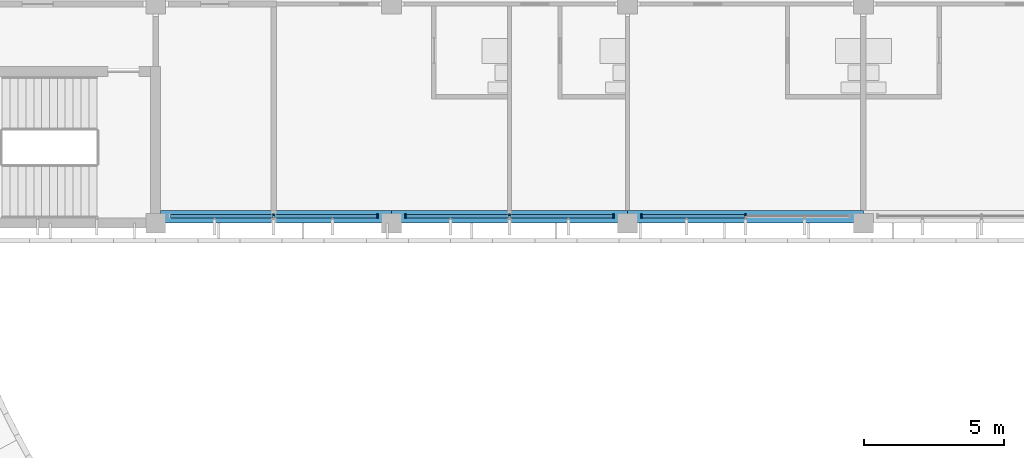
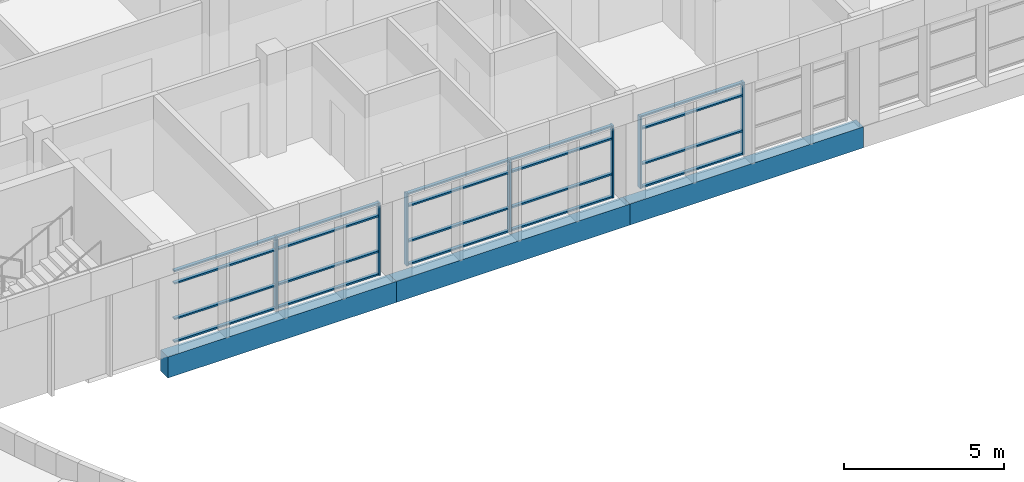
# One storey, part 3 of 74: 27 members, 3 beams, 3 elements without a shape of their own.
"""IFC4 building model written with IfcOpenShell, lengths in metres."""

from ifc_helpers import new_model, si_unit, direction, frame, origin, origin_2d, place, context, subcontext, project, spatial, rectangle, extrude, material, material_profile, profile_set, type_object, element, aggregate, save


model = new_model("IFC4")

# Units and contexts
model_context = context("Model", 3, precision=1e-05, world=origin(), true_north=direction((0.0, 1.0)))
body_context = subcontext(model_context, "Body", "Model", "MODEL_VIEW")
ifc_project = project(units=[si_unit("LENGTHUNIT", "METRE"), si_unit("AREAUNIT", "SQUARE_METRE"), si_unit("VOLUMEUNIT", "CUBIC_METRE"), si_unit("PLANEANGLEUNIT", "RADIAN"), si_unit("MASSUNIT", "GRAM", prefix="KILO")], contexts=[model_context])

# Site, building, storey
site_placement = place(None, origin())
site = spatial("IfcSite", under=ifc_project, at=site_placement, CompositionType="ELEMENT")
building_placement = place(site_placement, origin())
building = spatial("IfcBuilding", under=site, at=building_placement, Name="Bougainvillea Quay General Hospital", CompositionType="ELEMENT")
storey_placement = place(building_placement, frame((0.0, 0.0, 21.0)))
storey = spatial("IfcBuildingStorey", under=building, at=storey_placement, Name="L04", CompositionType="ELEMENT", Elevation=21.0)

# Curtain wall, members
ifc_material_1 = material(Name="Aluminium curtain wall system, powder-coated glazed", Category="aluminium")
curtain_wall_type = type_object("IfcCurtainWallType", Name="Unitised curtain wall CW-3730", PredefinedType="NOTDEFINED", material=ifc_material_1)
curtain_wall_1_placement = place(storey_placement, origin())
curtain_wall_1 = element("IfcCurtainWall", 1, at=curtain_wall_1_placement, inside=storey, type_object=curtain_wall_type, Name="CW-4200 03", PredefinedType="NOTDEFINED")
ifc_material_2 = material(Name="Aluminium mullion, powder-coated charcoal", Category="aluminium")
ifc_material_profile_1 = material_profile(ifc_material_2, rectangle(XDim=0.159912109375, YDim=0.06005859375, at=origin_2d()))
ifc_profile_set_1 = profile_set([ifc_material_profile_1], Name="Aluminium mullion, powder-coated charcoal")
member_type_1 = type_object("IfcMemberType", Name="Curtain wall mullion 160x60", PredefinedType="MULLION", material=ifc_profile_set_1)
member_1_placement = place(storey_placement, frame((88.199951171875, 117.85009765625, 0.0), z_axis=(0.0, 0.0, 1.0), x_axis=(0.0, 1.0, 0.0)))
member_1 = element("IfcMember", 2, at=member_1_placement, type_object=member_type_1, Name="CW-4200 mullion 2", PredefinedType="MULLION", context=body_context, shape_type="SweptSolid", body=[
    extrude(rectangle(XDim=0.159912109375, YDim=0.06005859375, at=origin_2d()), origin(), (0.0, 0.0, 1.0), 2.75),
])
member_2_placement = place(storey_placement, frame((91.89990234375, 117.85009765625, 0.0), z_axis=(0.0, 0.0, 1.0), x_axis=(0.0, 1.0, 0.0)))
member_2 = element("IfcMember", 3, at=member_2_placement, type_object=member_type_1, Name="CW-4200 mullion 3", PredefinedType="MULLION", context=body_context, shape_type="SweptSolid", body=[
    extrude(rectangle(XDim=0.159912109375, YDim=0.06005859375, at=origin_2d()), origin(), (0.0, 0.0, 1.0), 2.75),
])

curtain_wall_2_placement = place(storey_placement, origin())
curtain_wall_2 = element("IfcCurtainWall", 4, at=curtain_wall_2_placement, inside=storey, type_object=curtain_wall_type, Name="CW-4200 04", PredefinedType="NOTDEFINED")
member_3_placement = place(storey_placement, frame((92.89990234375, 117.85009765625, 0.0), z_axis=(0.0, 0.0, 1.0), x_axis=(0.0, 1.0, 0.0)))
member_3 = element("IfcMember", 5, at=member_3_placement, type_object=member_type_1, Name="CW-4200 mullion 1", PredefinedType="MULLION", context=body_context, shape_type="SweptSolid", body=[
    extrude(rectangle(XDim=0.159912109375, YDim=0.06005859375, at=origin_2d()), origin(), (0.0, 0.0, 1.0), 2.75),
])
member_4_placement = place(storey_placement, frame((96.60009765625, 117.85009765625, 0.0), z_axis=(0.0, 0.0, 1.0), x_axis=(0.0, 1.0, 0.0)))
member_4 = element("IfcMember", 6, at=member_4_placement, type_object=member_type_1, Name="CW-4200 mullion 2", PredefinedType="MULLION", context=body_context, shape_type="SweptSolid", body=[
    extrude(rectangle(XDim=0.159912109375, YDim=0.06005859375, at=origin_2d()), origin(), (0.0, 0.0, 1.0), 2.75),
])
member_5_placement = place(storey_placement, frame((100.300048828125, 117.85009765625, 0.0), z_axis=(0.0, 0.0, 1.0), x_axis=(0.0, 1.0, 0.0)))
member_5 = element("IfcMember", 7, at=member_5_placement, type_object=member_type_1, Name="CW-4200 mullion 3", PredefinedType="MULLION", context=body_context, shape_type="SweptSolid", body=[
    extrude(rectangle(XDim=0.159912109375, YDim=0.06005859375, at=origin_2d()), origin(), (0.0, 0.0, 1.0), 2.75),
])

curtain_wall_3_placement = place(storey_placement, origin())
curtain_wall_3 = element("IfcCurtainWall", 8, at=curtain_wall_3_placement, inside=storey, type_object=curtain_wall_type, Name="CW-4200 05", PredefinedType="NOTDEFINED")
member_6_placement = place(storey_placement, frame((101.300048828125, 117.85009765625, 0.0), z_axis=(0.0, 0.0, 1.0), x_axis=(0.0, 1.0, 0.0)))
member_6 = element("IfcMember", 9, at=member_6_placement, type_object=member_type_1, Name="CW-4200 mullion 1", PredefinedType="MULLION", context=body_context, shape_type="SweptSolid", body=[
    extrude(rectangle(XDim=0.159912109375, YDim=0.06005859375, at=origin_2d()), origin(), (0.0, 0.0, 1.0), 2.75),
])
member_7_placement = place(storey_placement, frame((105.0, 117.85009765625, 0.0), z_axis=(0.0, 0.0, 1.0), x_axis=(0.0, 1.0, 0.0)))
member_7 = element("IfcMember", 10, at=member_7_placement, type_object=member_type_1, Name="CW-4200 mullion 2", PredefinedType="MULLION", context=body_context, shape_type="SweptSolid", body=[
    extrude(rectangle(XDim=0.159912109375, YDim=0.06005859375, at=origin_2d()), origin(), (0.0, 0.0, 1.0), 2.75),
])

# Member
ifc_material_3 = material(Name="Aluminium transom, powder-coated charcoal", Category="aluminium")
ifc_material_profile_2 = material_profile(ifc_material_3, rectangle(XDim=0.1201171875, YDim=0.06005859375, at=origin_2d()))
ifc_profile_set_2 = profile_set([ifc_material_profile_2], Name="Aluminium transom, powder-coated charcoal")
member_type_2 = type_object("IfcMemberType", Name="Curtain wall transom 120x60", PredefinedType="USERDEFINED", material=ifc_profile_set_2)
member_8_placement = place(storey_placement, frame((84.530029296875, 117.85009765625, 0.030029296875), z_axis=(1.0, 0.0, 0.0), x_axis=(0.0, 1.0, 0.0)))
member_8 = element("IfcMember", 11, at=member_8_placement, type_object=member_type_2, Name="CW-4200 transom 1.1", ObjectType="TRANSOM", PredefinedType="USERDEFINED", context=body_context, shape_type="SweptSolid", body=[
    extrude(rectangle(XDim=0.1201171875, YDim=0.06005859375, at=origin_2d()), origin(), (0.0, 0.0, 1.0), 3.639892578125),
])

member_9_placement = place(storey_placement, frame((84.530029296875, 117.85009765625, 0.89990234375), z_axis=(1.0, 0.0, 0.0), x_axis=(0.0, 1.0, 0.0)))
member_9 = element("IfcMember", 12, at=member_9_placement, type_object=member_type_2, Name="CW-4200 transom 1.2", ObjectType="TRANSOM", PredefinedType="USERDEFINED", context=body_context, shape_type="SweptSolid", body=[
    extrude(rectangle(XDim=0.1201171875, YDim=0.06005859375, at=origin_2d()), origin(), (0.0, 0.0, 1.0), 3.639892578125),
])

member_10_placement = place(storey_placement, frame((84.530029296875, 117.85009765625, 2.25), z_axis=(1.0, 0.0, 0.0), x_axis=(0.0, 1.0, 0.0)))
member_10 = element("IfcMember", 13, at=member_10_placement, type_object=member_type_2, Name="CW-4200 transom 1.3", ObjectType="TRANSOM", PredefinedType="USERDEFINED", context=body_context, shape_type="SweptSolid", body=[
    extrude(rectangle(XDim=0.1201171875, YDim=0.06005859375, at=origin_2d()), origin(), (0.0, 0.0, 1.0), 3.639892578125),
])

member_11_placement = place(storey_placement, frame((84.530029296875, 117.85009765625, 2.719970703125), z_axis=(1.0, 0.0, 0.0), x_axis=(0.0, 1.0, 0.0)))
member_11 = element("IfcMember", 14, at=member_11_placement, type_object=member_type_2, Name="CW-4200 transom 1.4", ObjectType="TRANSOM", PredefinedType="USERDEFINED", context=body_context, shape_type="SweptSolid", body=[
    extrude(rectangle(XDim=0.1201171875, YDim=0.06005859375, at=origin_2d()), origin(), (0.0, 0.0, 1.0), 3.639892578125),
])

member_12_placement = place(storey_placement, frame((88.22998046875, 117.85009765625, 0.030029296875), z_axis=(1.0, 0.0, 0.0), x_axis=(0.0, 1.0, 0.0)))
member_12 = element("IfcMember", 15, at=member_12_placement, type_object=member_type_2, Name="CW-4200 transom 2.1", ObjectType="TRANSOM", PredefinedType="USERDEFINED", context=body_context, shape_type="SweptSolid", body=[
    extrude(rectangle(XDim=0.1201171875, YDim=0.06005859375, at=origin_2d()), origin(), (0.0, 0.0, 1.0), 3.64013671875),
])

member_13_placement = place(storey_placement, frame((88.22998046875, 117.85009765625, 0.89990234375), z_axis=(1.0, 0.0, 0.0), x_axis=(0.0, 1.0, 0.0)))
member_13 = element("IfcMember", 16, at=member_13_placement, type_object=member_type_2, Name="CW-4200 transom 2.2", ObjectType="TRANSOM", PredefinedType="USERDEFINED", context=body_context, shape_type="SweptSolid", body=[
    extrude(rectangle(XDim=0.1201171875, YDim=0.06005859375, at=origin_2d()), origin(), (0.0, 0.0, 1.0), 3.64013671875),
])

member_14_placement = place(storey_placement, frame((88.22998046875, 117.85009765625, 2.25), z_axis=(1.0, 0.0, 0.0), x_axis=(0.0, 1.0, 0.0)))
member_14 = element("IfcMember", 17, at=member_14_placement, type_object=member_type_2, Name="CW-4200 transom 2.3", ObjectType="TRANSOM", PredefinedType="USERDEFINED", context=body_context, shape_type="SweptSolid", body=[
    extrude(rectangle(XDim=0.1201171875, YDim=0.06005859375, at=origin_2d()), origin(), (0.0, 0.0, 1.0), 3.64013671875),
])

member_15_placement = place(storey_placement, frame((88.22998046875, 117.85009765625, 2.719970703125), z_axis=(1.0, 0.0, 0.0), x_axis=(0.0, 1.0, 0.0)))
member_15 = element("IfcMember", 18, at=member_15_placement, type_object=member_type_2, Name="CW-4200 transom 2.4", ObjectType="TRANSOM", PredefinedType="USERDEFINED", context=body_context, shape_type="SweptSolid", body=[
    extrude(rectangle(XDim=0.1201171875, YDim=0.06005859375, at=origin_2d()), origin(), (0.0, 0.0, 1.0), 3.64013671875),
])

aggregate(curtain_wall_1, [member_1, member_2, member_8, member_9, member_10, member_11, member_12, member_13, member_14, member_15])

member_16_placement = place(storey_placement, frame((92.929931640625, 117.85009765625, 0.030029296875), z_axis=(1.0, 0.0, 0.0), x_axis=(0.0, 1.0, 0.0)))
member_16 = element("IfcMember", 19, at=member_16_placement, type_object=member_type_2, Name="CW-4200 transom 1.1", ObjectType="TRANSOM", PredefinedType="USERDEFINED", context=body_context, shape_type="SweptSolid", body=[
    extrude(rectangle(XDim=0.1201171875, YDim=0.06005859375, at=origin_2d()), origin(), (0.0, 0.0, 1.0), 3.64013671875),
])

member_17_placement = place(storey_placement, frame((92.929931640625, 117.85009765625, 0.89990234375), z_axis=(1.0, 0.0, 0.0), x_axis=(0.0, 1.0, 0.0)))
member_17 = element("IfcMember", 20, at=member_17_placement, type_object=member_type_2, Name="CW-4200 transom 1.2", ObjectType="TRANSOM", PredefinedType="USERDEFINED", context=body_context, shape_type="SweptSolid", body=[
    extrude(rectangle(XDim=0.1201171875, YDim=0.06005859375, at=origin_2d()), origin(), (0.0, 0.0, 1.0), 3.64013671875),
])

member_18_placement = place(storey_placement, frame((92.929931640625, 117.85009765625, 2.25), z_axis=(1.0, 0.0, 0.0), x_axis=(0.0, 1.0, 0.0)))
member_18 = element("IfcMember", 21, at=member_18_placement, type_object=member_type_2, Name="CW-4200 transom 1.3", ObjectType="TRANSOM", PredefinedType="USERDEFINED", context=body_context, shape_type="SweptSolid", body=[
    extrude(rectangle(XDim=0.1201171875, YDim=0.06005859375, at=origin_2d()), origin(), (0.0, 0.0, 1.0), 3.64013671875),
])

member_19_placement = place(storey_placement, frame((92.929931640625, 117.85009765625, 2.719970703125), z_axis=(1.0, 0.0, 0.0), x_axis=(0.0, 1.0, 0.0)))
member_19 = element("IfcMember", 22, at=member_19_placement, type_object=member_type_2, Name="CW-4200 transom 1.4", ObjectType="TRANSOM", PredefinedType="USERDEFINED", context=body_context, shape_type="SweptSolid", body=[
    extrude(rectangle(XDim=0.1201171875, YDim=0.06005859375, at=origin_2d()), origin(), (0.0, 0.0, 1.0), 3.64013671875),
])

member_20_placement = place(storey_placement, frame((96.6298828125, 117.85009765625, 0.030029296875), z_axis=(1.0, 0.0, 0.0), x_axis=(0.0, 1.0, 0.0)))
member_20 = element("IfcMember", 23, at=member_20_placement, type_object=member_type_2, Name="CW-4200 transom 2.1", ObjectType="TRANSOM", PredefinedType="USERDEFINED", context=body_context, shape_type="SweptSolid", body=[
    extrude(rectangle(XDim=0.1201171875, YDim=0.06005859375, at=origin_2d()), origin(), (0.0, 0.0, 1.0), 3.64013671875),
])

member_21_placement = place(storey_placement, frame((96.6298828125, 117.85009765625, 0.89990234375), z_axis=(1.0, 0.0, 0.0), x_axis=(0.0, 1.0, 0.0)))
member_21 = element("IfcMember", 24, at=member_21_placement, type_object=member_type_2, Name="CW-4200 transom 2.2", ObjectType="TRANSOM", PredefinedType="USERDEFINED", context=body_context, shape_type="SweptSolid", body=[
    extrude(rectangle(XDim=0.1201171875, YDim=0.06005859375, at=origin_2d()), origin(), (0.0, 0.0, 1.0), 3.64013671875),
])

member_22_placement = place(storey_placement, frame((96.6298828125, 117.85009765625, 2.25), z_axis=(1.0, 0.0, 0.0), x_axis=(0.0, 1.0, 0.0)))
member_22 = element("IfcMember", 25, at=member_22_placement, type_object=member_type_2, Name="CW-4200 transom 2.3", ObjectType="TRANSOM", PredefinedType="USERDEFINED", context=body_context, shape_type="SweptSolid", body=[
    extrude(rectangle(XDim=0.1201171875, YDim=0.06005859375, at=origin_2d()), origin(), (0.0, 0.0, 1.0), 3.64013671875),
])

member_23_placement = place(storey_placement, frame((96.6298828125, 117.85009765625, 2.719970703125), z_axis=(1.0, 0.0, 0.0), x_axis=(0.0, 1.0, 0.0)))
member_23 = element("IfcMember", 26, at=member_23_placement, type_object=member_type_2, Name="CW-4200 transom 2.4", ObjectType="TRANSOM", PredefinedType="USERDEFINED", context=body_context, shape_type="SweptSolid", body=[
    extrude(rectangle(XDim=0.1201171875, YDim=0.06005859375, at=origin_2d()), origin(), (0.0, 0.0, 1.0), 3.64013671875),
])

aggregate(curtain_wall_2, [member_3, member_4, member_5, member_16, member_17, member_18, member_19, member_20, member_21, member_22, member_23])

member_24_placement = place(storey_placement, frame((101.330078125, 117.85009765625, 0.030029296875), z_axis=(1.0, 0.0, 0.0), x_axis=(0.0, 1.0, 0.0)))
member_24 = element("IfcMember", 27, at=member_24_placement, type_object=member_type_2, Name="CW-4200 transom 1.1", ObjectType="TRANSOM", PredefinedType="USERDEFINED", context=body_context, shape_type="SweptSolid", body=[
    extrude(rectangle(XDim=0.1201171875, YDim=0.06005859375, at=origin_2d()), origin(), (0.0, 0.0, 1.0), 3.639892578125),
])

member_25_placement = place(storey_placement, frame((101.330078125, 117.85009765625, 0.89990234375), z_axis=(1.0, 0.0, 0.0), x_axis=(0.0, 1.0, 0.0)))
member_25 = element("IfcMember", 28, at=member_25_placement, type_object=member_type_2, Name="CW-4200 transom 1.2", ObjectType="TRANSOM", PredefinedType="USERDEFINED", context=body_context, shape_type="SweptSolid", body=[
    extrude(rectangle(XDim=0.1201171875, YDim=0.06005859375, at=origin_2d()), origin(), (0.0, 0.0, 1.0), 3.639892578125),
])

member_26_placement = place(storey_placement, frame((101.330078125, 117.85009765625, 2.25), z_axis=(1.0, 0.0, 0.0), x_axis=(0.0, 1.0, 0.0)))
member_26 = element("IfcMember", 29, at=member_26_placement, type_object=member_type_2, Name="CW-4200 transom 1.3", ObjectType="TRANSOM", PredefinedType="USERDEFINED", context=body_context, shape_type="SweptSolid", body=[
    extrude(rectangle(XDim=0.1201171875, YDim=0.06005859375, at=origin_2d()), origin(), (0.0, 0.0, 1.0), 3.639892578125),
])

member_27_placement = place(storey_placement, frame((101.330078125, 117.85009765625, 2.719970703125), z_axis=(1.0, 0.0, 0.0), x_axis=(0.0, 1.0, 0.0)))
member_27 = element("IfcMember", 30, at=member_27_placement, type_object=member_type_2, Name="CW-4200 transom 1.4", ObjectType="TRANSOM", PredefinedType="USERDEFINED", context=body_context, shape_type="SweptSolid", body=[
    extrude(rectangle(XDim=0.1201171875, YDim=0.06005859375, at=origin_2d()), origin(), (0.0, 0.0, 1.0), 3.639892578125),
])

aggregate(curtain_wall_3, [member_6, member_7, member_24, member_25, member_26, member_27])

# Beams
ifc_material_4 = material(Name="Concrete C40", Category="concrete")
ifc_material_profile_3 = material_profile(ifc_material_4, rectangle(XDim=0.449951171875, YDim=0.800048828125, at=origin_2d()))
ifc_profile_set_3 = profile_set([ifc_material_profile_3], Name="Concrete C40")
beam_type = type_object("IfcBeamType", Name="RC BEAM 450x800 C40", PredefinedType="BEAM", material=ifc_profile_set_3)
beam_1_placement = place(storey_placement, frame((84.175048828125, 117.824951171875, -0.699951171875), z_axis=(1.0, 0.0, 0.0), x_axis=(0.0, 1.0, 0.0)))
element("IfcBeam", 31, at=beam_1_placement, inside=storey, type_object=beam_type, Name="Edge beam L04", PredefinedType="BEAM", context=body_context, shape_type="SweptSolid", body=[
    extrude(rectangle(XDim=0.449951171875, YDim=0.800048828125, at=origin_2d()), origin(), (0.0, 0.0, 1.0), 8.224853515625),
])
beam_2_placement = place(storey_placement, frame((92.39990234375, 117.824951171875, -0.699951171875), z_axis=(1.0, 0.0, 0.0), x_axis=(0.0, 1.0, 0.0)))
element("IfcBeam", 32, at=beam_2_placement, inside=storey, type_object=beam_type, Name="Edge beam L04", PredefinedType="BEAM", context=body_context, shape_type="SweptSolid", body=[
    extrude(rectangle(XDim=0.449951171875, YDim=0.800048828125, at=origin_2d()), origin(), (0.0, 0.0, 1.0), 8.400146484375),
])
beam_3_placement = place(storey_placement, frame((100.800048828125, 117.824951171875, -0.699951171875), z_axis=(1.0, 0.0, 0.0), x_axis=(0.0, 1.0, 0.0)))
element("IfcBeam", 33, at=beam_3_placement, inside=storey, type_object=beam_type, Name="Edge beam L04", PredefinedType="BEAM", context=body_context, shape_type="SweptSolid", body=[
    extrude(rectangle(XDim=0.449951171875, YDim=0.800048828125, at=origin_2d()), origin(), (0.0, 0.0, 1.0), 8.39990234375),
])

save(model, "model.ifc")
